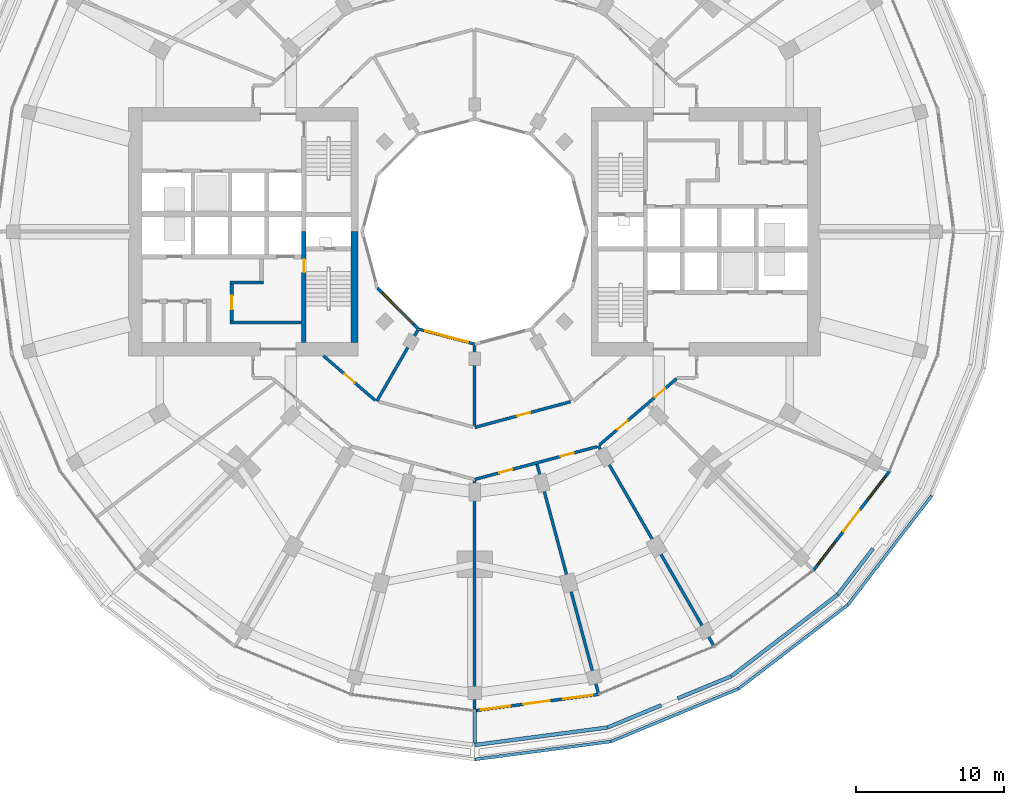
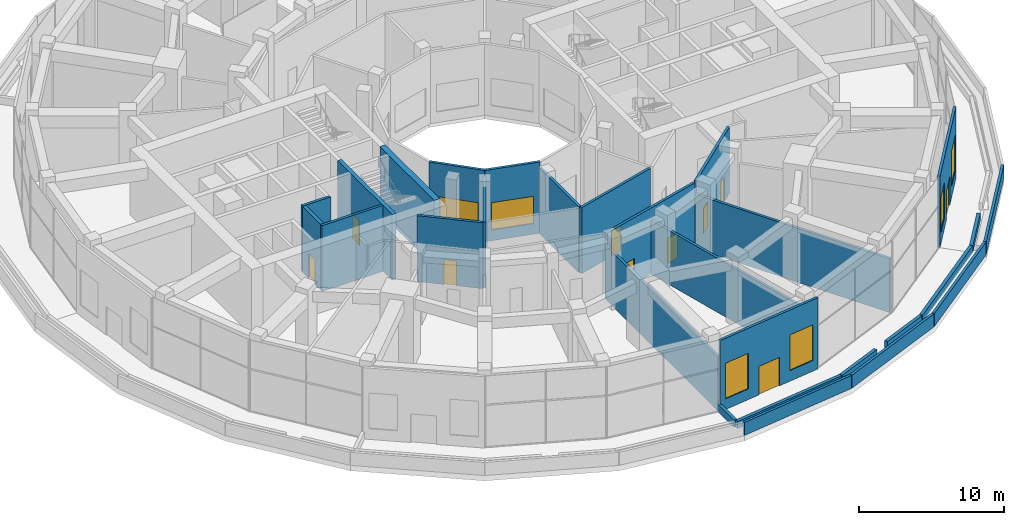
# One storey, part 16 of 23: 28 walls, 10 doors, 6 windows, 16 openings.
"""IFC4 building model written with IfcOpenShell, lengths in metres."""

from ifc_helpers import new_model, si_unit, direction, frame, frame_2d, origin, place, context, subcontext, project, spatial, rectangle, extrude, material, layer, layer_set, type_object, element, fill, save


model = new_model("IFC4")

# Units and contexts
model_context = context("Model", 3, precision=1e-05, world=origin(), true_north=direction((0.0, 1.0)))
body_context = subcontext(model_context, "Body", "Model", "MODEL_VIEW")
ifc_project = project(units=[si_unit("LENGTHUNIT", "METRE"), si_unit("AREAUNIT", "SQUARE_METRE"), si_unit("VOLUMEUNIT", "CUBIC_METRE"), si_unit("PLANEANGLEUNIT", "RADIAN"), si_unit("MASSUNIT", "GRAM", prefix="KILO")], contexts=[model_context])

# Site, building, storey
site_placement = place(None, origin())
site = spatial("IfcSite", under=ifc_project, at=site_placement, CompositionType="ELEMENT")
building_placement = place(site_placement, origin())
building = spatial("IfcBuilding", under=site, at=building_placement, Name="Torre Brocal", CompositionType="ELEMENT")
storey_placement = place(building_placement, frame((0.0, 0.0, 17.800048828125)))
storey = spatial("IfcBuildingStorey", under=building, at=storey_placement, Name="L03", CompositionType="ELEMENT", Elevation=17.800048828125)

# Walls
ifc_material_1 = material(Name="Concrete C80", Category="concrete")
ifc_layer_1 = layer(ifc_material_1, 0.199951171875)
ifc_layer_set_1 = layer_set([ifc_layer_1], Name="Concrete C80")
wall_type_1 = type_object("IfcWallType", Name="CORE WALL 200 C80 UNDER 450 SLAB", PredefinedType="SHEAR", material=ifc_layer_set_1)
wall_1_placement = place(storey_placement, frame((68.300048828125, 68.85009765625, 0.0), z_axis=(0.0, 0.0, 1.0), x_axis=(-1.0, 0.0, 0.0)))
element("IfcWall", 1, at=wall_1_placement, inside=storey, type_object=wall_type_1, Name="Wall CW200-80-S450", PredefinedType="SHEAR", context=body_context, shape_type="SweptSolid", body=[
    extrude(rectangle(XDim=4.85009765625, YDim=0.199951171875, at=frame_2d((2.425048828125, 0.0))), origin(), (0.0, 0.0, 1.0), 5.550048828125),
])
wall_2_placement = place(storey_placement, frame((65.699951171875, 71.550048828125, 0.0), z_axis=(0.0, 0.0, 1.0), x_axis=(-1.0, 0.0, 0.0)))
element("IfcWall", 2, at=wall_2_placement, inside=storey, type_object=wall_type_1, Name="Wall CW200-80-S450", PredefinedType="SHEAR", context=body_context, shape_type="SweptSolid", body=[
    extrude(rectangle(XDim=2.25, YDim=0.199951171875, at=frame_2d((1.125, 0.0))), origin(), (0.0, 0.0, 1.0), 5.550048828125),
])

# Wall, opening, door
ifc_material_2 = material(Name="Concrete C80", Category="concrete")
ifc_layer_2 = layer(ifc_material_2, 0.25)
ifc_layer_set_2 = layer_set([ifc_layer_2], Name="Concrete C80")
wall_type_2 = type_object("IfcWallType", Name="CORE WALL 250 C80 UNDER 450 SLAB", PredefinedType="SHEAR", material=ifc_layer_set_2)
wall_3_placement = place(storey_placement, frame((63.574951171875, 71.449951171875, 0.0), z_axis=(0.0, 0.0, 1.0), x_axis=(0.0, -1.0, 0.0)))
wall_3 = element("IfcWall", 3, at=wall_3_placement, inside=storey, type_object=wall_type_2, Name="Wall CW250-80-S450", PredefinedType="SHEAR", context=body_context, shape_type="SweptSolid", body=[
    extrude(rectangle(XDim=2.5, YDim=0.25, at=frame_2d((1.25, 0.0))), origin(), (0.0, 0.0, 1.0), 5.550048828125),
])
opening_1_placement = place(wall_3_placement, frame((0.800048828125, 0.0, 0.0)))
opening_1 = element("IfcOpeningElement", 4, at=opening_1_placement, cuts=wall_3, Name="Opening W-D15", PredefinedType="OPENING", context=body_context, shape_type="SweptSolid", body=[
    extrude(rectangle(XDim=0.89990234375, YDim=2.10009765625, at=frame_2d((0.449951171875, 1.050048828125))), frame((0.0, 0.135009765625, 0.0), z_axis=(0.0, -1.0, 0.0), x_axis=(1.0, 0.0, 0.0)), (0.0, 0.0, 1.0), 0.27001953125),
])
ifc_material_3 = material(Name="Steel A653", Category="steel")
door_type_1 = type_object("IfcDoorType", Name="LOBBY DOOR FD120 900X2100", OperationType="SINGLE_SWING_RIGHT", PredefinedType="DOOR", material=ifc_material_3)
door_1_placement = place(opening_1_placement, origin())
door_1 = element("IfcDoor", 5, at=door_1_placement, inside=storey, type_object=door_type_1, Name="Door W-D15", OperationType="SINGLE_SWING_LEFT", OverallHeight=2.10009765625, OverallWidth=0.89990234375, PredefinedType="DOOR", context=body_context, shape_type="SweptSolid", body=[
    extrude(rectangle(XDim=0.89990234375, YDim=2.10009765625, at=frame_2d((0.449951171875, 1.050048828125))), frame((0.0, 0.02490234375, 0.0), z_axis=(0.0, -1.0, 0.0), x_axis=(1.0, 0.0, 0.0)), (0.0, 0.0, 1.0), 0.050048828125),
])
fill(opening_1, door_1)

ifc_material_4 = material(Name="Concrete C80", Category="concrete")
ifc_layer_3 = layer(ifc_material_4, 0.300048828125)
ifc_layer_set_3 = layer_set([ifc_layer_3], Name="Concrete C80")
wall_type_3 = type_object("IfcWallType", Name="CORE WALL 300 C80 UNDER 450 SLAB", PredefinedType="SHEAR", material=ifc_layer_set_3)
wall_4_placement = place(storey_placement, frame((68.449951171875, 75.0, 0.0), z_axis=(0.0, 0.0, 1.0), x_axis=(0.0, -1.0, 0.0)))
wall_4 = element("IfcWall", 6, at=wall_4_placement, inside=storey, type_object=wall_type_3, Name="Wall CW300-80-S450", PredefinedType="SHEAR", context=body_context, shape_type="SweptSolid", body=[
    extrude(rectangle(XDim=7.5, YDim=0.300048828125, at=frame_2d((3.75, 0.0))), origin(), (0.0, 0.0, 1.0), 5.550048828125),
])
opening_2_placement = place(wall_4_placement, frame((1.85009765625, 0.0, 0.0)))
opening_2 = element("IfcOpeningElement", 7, at=opening_2_placement, cuts=wall_4, Name="Opening W-D02", PredefinedType="OPENING", context=body_context, shape_type="SweptSolid", body=[
    extrude(rectangle(XDim=0.89990234375, YDim=2.10009765625, at=frame_2d((0.449951171875, 1.050048828125))), frame((0.0, 0.159912109375, 0.0), z_axis=(0.0, -1.0, 0.0), x_axis=(1.0, 0.0, 0.0)), (0.0, 0.0, 1.0), 0.320068359375),
])
ifc_material_5 = material(Name="Steel A653", Category="steel")
door_type_2 = type_object("IfcDoorType", Name="STAIR DOOR FD120 900X2100", OperationType="SINGLE_SWING_RIGHT", PredefinedType="DOOR", material=ifc_material_5)
door_2_placement = place(opening_2_placement, origin())
door_2 = element("IfcDoor", 8, at=door_2_placement, inside=storey, type_object=door_type_2, Name="Door W-D02", OperationType="SINGLE_SWING_LEFT", OverallHeight=2.10009765625, OverallWidth=0.89990234375, PredefinedType="DOOR", context=body_context, shape_type="SweptSolid", body=[
    extrude(rectangle(XDim=0.89990234375, YDim=2.10009765625, at=frame_2d((0.449951171875, 1.050048828125))), frame((0.0, 0.02490234375, 0.0), z_axis=(0.0, -1.0, 0.0), x_axis=(1.0, 0.0, 0.0)), (0.0, 0.0, 1.0), 0.050048828125),
])
fill(opening_2, door_2)

# Wall
ifc_material_6 = material(Name="Concrete C80", Category="concrete")
ifc_layer_4 = layer(ifc_material_6, 0.449951171875)
ifc_layer_set_4 = layer_set([ifc_layer_4], Name="Concrete C80")
wall_type_4 = type_object("IfcWallType", Name="CORE WALL 450 C80 UNDER 450 SLAB", PredefinedType="SHEAR", material=ifc_layer_set_4)
wall_5_placement = place(storey_placement, frame((71.875, 75.0, 0.0), z_axis=(0.0, 0.0, 1.0), x_axis=(0.0, -1.0, 0.0)))
element("IfcWall", 9, at=wall_5_placement, inside=storey, type_object=wall_type_4, Name="Wall CW450-80-S450", PredefinedType="SHEAR", context=body_context, shape_type="SweptSolid", body=[
    extrude(rectangle(XDim=7.5, YDim=0.449951171875, at=frame_2d((3.75, 0.0))), origin(), (0.0, 0.0, 1.0), 5.550048828125),
])

# Wall, openings, windows, door
ifc_material_7 = material(Name="Concrete C40", Category="concrete")
ifc_layer_5 = layer(ifc_material_7, 0.199951171875)
ifc_layer_set_5 = layer_set([ifc_layer_5], Name="Concrete C40")
wall_type_5 = type_object("IfcWallType", Name="EXTERNAL WALL 200", PredefinedType="NOTDEFINED", material=ifc_layer_set_5)
wall_6_placement = place(storey_placement, frame((80.0, 42.600830078125, 0.0), z_axis=(0.0, 0.0, 1.0), x_axis=(0.991444369534, 0.130529928059, 0.0)))
wall_6 = element("IfcWall", 10, at=wall_6_placement, inside=storey, type_object=wall_type_5, Name="EXTERNAL WALL", PredefinedType="NOTDEFINED", context=body_context, shape_type="SweptSolid", body=[
    extrude(rectangle(XDim=8.457763671875, YDim=0.199951171875, at=frame_2d((4.22900390625, 0.0))), origin(), (0.0, 0.0, 1.0), 6.0),
])
opening_3_placement = place(wall_6_placement, frame((0.40966796875, 0.0, 0.89990234375)))
opening_3 = element("IfcOpeningElement", 11, at=opening_3_placement, cuts=wall_6, Name="Opening W7", PredefinedType="OPENING", context=body_context, shape_type="SweptSolid", body=[
    extrude(rectangle(XDim=2.0, YDim=3.0, at=frame_2d((1.0, 1.5))), frame((0.0, 0.10986328125, 0.0), z_axis=(0.0, -1.0, 0.0), x_axis=(1.0, 0.0, 0.0)), (0.0, 0.0, 1.0), 0.219970703125),
])
opening_4_placement = place(wall_6_placement, frame((3.328857421875, 0.0, 0.0)))
opening_4 = element("IfcOpeningElement", 12, at=opening_4_placement, cuts=wall_6, Name="Opening L03-E07", PredefinedType="OPENING", context=body_context, shape_type="SweptSolid", body=[
    extrude(rectangle(XDim=1.800048828125, YDim=2.39990234375, at=frame_2d((0.89990234375, 1.199951171875))), frame((0.0, 0.10986328125, 0.0), z_axis=(0.0, -1.0, 0.0), x_axis=(1.0, 0.0, 0.0)), (0.0, 0.0, 1.0), 0.219970703125),
])
opening_5_placement = place(wall_6_placement, frame((6.04833984375, 0.0, 0.89990234375)))
opening_5 = element("IfcOpeningElement", 13, at=opening_5_placement, cuts=wall_6, Name="Opening W7", PredefinedType="OPENING", context=body_context, shape_type="SweptSolid", body=[
    extrude(rectangle(XDim=2.0, YDim=3.0, at=frame_2d((1.0, 1.5))), frame((0.0, 0.10986328125, 0.0), z_axis=(0.0, -1.0, 0.0), x_axis=(1.0, 0.0, 0.0)), (0.0, 0.0, 1.0), 0.219970703125),
])
ifc_material_8 = material(Name="Aluminium and glass", Category="aluminium")
window_type_1 = type_object("IfcWindowType", Name="PODIUM WINDOW 2000X3000", PartitioningType="SINGLE_PANEL", PredefinedType="WINDOW", material=ifc_material_8)
window_1_placement = place(opening_3_placement, origin())
window_1 = element("IfcWindow", 14, at=window_1_placement, inside=storey, type_object=window_type_1, Name="PODIUM WINDOW 2000X3000", OverallHeight=3.0, OverallWidth=2.0, PartitioningType="SINGLE_PANEL", PredefinedType="WINDOW", context=body_context, shape_type="SweptSolid", body=[
    extrude(rectangle(XDim=2.0, YDim=3.0, at=frame_2d((1.0, 1.5))), frame((0.0, 0.030029296875, 0.0), z_axis=(0.0, -1.0, 0.0), x_axis=(1.0, 0.0, 0.0)), (0.0, 0.0, 1.0), 0.06005859375),
])
fill(opening_3, window_1)
window_2_placement = place(opening_5_placement, origin())
window_2 = element("IfcWindow", 15, at=window_2_placement, inside=storey, type_object=window_type_1, Name="PODIUM WINDOW 2000X3000", OverallHeight=3.0, OverallWidth=2.0, PartitioningType="SINGLE_PANEL", PredefinedType="WINDOW", context=body_context, shape_type="SweptSolid", body=[
    extrude(rectangle(XDim=2.0, YDim=3.0, at=frame_2d((1.0, 1.5))), frame((0.0, 0.030029296875, 0.0), z_axis=(0.0, -1.0, 0.0), x_axis=(1.0, 0.0, 0.0)), (0.0, 0.0, 1.0), 0.06005859375),
])
fill(opening_5, window_2)
ifc_material_9 = material(Name="Aluminium and glass", Category="aluminium")
door_type_3 = type_object("IfcDoorType", Name="TERRACE DOUBLE DOOR 1800X2400", OperationType="DOUBLE_DOOR_SINGLE_SWING", PredefinedType="DOOR", material=ifc_material_9)
door_3_placement = place(opening_4_placement, frame((1.800048828125, 0.0, 0.0), z_axis=(0.0, 0.0, 1.0), x_axis=(-1.0, 0.0, 0.0)))
door_3 = element("IfcDoor", 16, at=door_3_placement, inside=storey, type_object=door_type_3, Name="DOOR L03-E07", OperationType="DOUBLE_DOOR_SINGLE_SWING", OverallHeight=2.39990234375, OverallWidth=1.800048828125, PredefinedType="DOOR", context=body_context, shape_type="SweptSolid", body=[
    extrude(rectangle(XDim=1.800048828125, YDim=2.39990234375, at=frame_2d((0.89990234375, 1.199951171875))), frame((0.0, 0.02490234375, 0.0), z_axis=(0.0, -1.0, 0.0), x_axis=(1.0, 0.0, 0.0)), (0.0, 0.0, 1.0), 0.050048828125),
])
fill(opening_4, door_3)

wall_7_placement = place(storey_placement, frame((102.90966796875, 52.09033203125, 0.0), z_axis=(0.0, 0.0, 1.0), x_axis=(0.608761751223, 0.793353093047, 0.0)))
wall_7 = element("IfcWall", 17, at=wall_7_placement, inside=storey, type_object=wall_type_5, Name="EXTERNAL WALL", PredefinedType="NOTDEFINED", context=body_context, shape_type="SweptSolid", body=[
    extrude(rectangle(XDim=8.4580078125, YDim=0.199951171875, at=frame_2d((4.22900390625, 0.0))), origin(), (0.0, 0.0, 1.0), 6.0),
])
opening_6_placement = place(wall_7_placement, frame((0.40966796875, 0.0, 0.89990234375)))
opening_6 = element("IfcOpeningElement", 18, at=opening_6_placement, cuts=wall_7, Name="Opening W7", PredefinedType="OPENING", context=body_context, shape_type="SweptSolid", body=[
    extrude(rectangle(XDim=2.0, YDim=3.0, at=frame_2d((1.0, 1.5))), frame((0.0, 0.10986328125, 0.0), z_axis=(0.0, -1.0, 0.0), x_axis=(1.0, 0.0, 0.0)), (0.0, 0.0, 1.0), 0.219970703125),
])
opening_7_placement = place(wall_7_placement, frame((3.328857421875, 0.0, 0.0)))
opening_7 = element("IfcOpeningElement", 19, at=opening_7_placement, cuts=wall_7, Name="Opening L03-E08", PredefinedType="OPENING", context=body_context, shape_type="SweptSolid", body=[
    extrude(rectangle(XDim=1.800048828125, YDim=2.39990234375, at=frame_2d((0.89990234375, 1.199951171875))), frame((0.0, 0.10986328125, 0.0), z_axis=(0.0, -1.0, 0.0), x_axis=(1.0, 0.0, 0.0)), (0.0, 0.0, 1.0), 0.219970703125),
])
opening_8_placement = place(wall_7_placement, frame((6.04833984375, 0.0, 0.89990234375)))
opening_8 = element("IfcOpeningElement", 20, at=opening_8_placement, cuts=wall_7, Name="Opening W7", PredefinedType="OPENING", context=body_context, shape_type="SweptSolid", body=[
    extrude(rectangle(XDim=2.0, YDim=3.0, at=frame_2d((1.0, 1.5))), frame((0.0, 0.10986328125, 0.0), z_axis=(0.0, -1.0, 0.0), x_axis=(1.0, 0.0, 0.0)), (0.0, 0.0, 1.0), 0.219970703125),
])
window_3_placement = place(opening_6_placement, origin())
window_3 = element("IfcWindow", 21, at=window_3_placement, inside=storey, type_object=window_type_1, Name="PODIUM WINDOW 2000X3000", OverallHeight=3.0, OverallWidth=2.0, PartitioningType="SINGLE_PANEL", PredefinedType="WINDOW", context=body_context, shape_type="SweptSolid", body=[
    extrude(rectangle(XDim=2.0, YDim=3.0, at=frame_2d((1.0, 1.5))), frame((0.0, 0.030029296875, 0.0), z_axis=(0.0, -1.0, 0.0), x_axis=(1.0, 0.0, 0.0)), (0.0, 0.0, 1.0), 0.06005859375),
])
fill(opening_6, window_3)
window_4_placement = place(opening_8_placement, origin())
window_4 = element("IfcWindow", 22, at=window_4_placement, inside=storey, type_object=window_type_1, Name="PODIUM WINDOW 2000X3000", OverallHeight=3.0, OverallWidth=2.0, PartitioningType="SINGLE_PANEL", PredefinedType="WINDOW", context=body_context, shape_type="SweptSolid", body=[
    extrude(rectangle(XDim=2.0, YDim=3.0, at=frame_2d((1.0, 1.5))), frame((0.0, 0.030029296875, 0.0), z_axis=(0.0, -1.0, 0.0), x_axis=(1.0, 0.0, 0.0)), (0.0, 0.0, 1.0), 0.06005859375),
])
fill(opening_8, window_4)
door_4_placement = place(opening_7_placement, frame((1.800048828125, 0.0, 0.0), z_axis=(0.0, 0.0, 1.0), x_axis=(-1.0, 0.0, 0.0)))
door_4 = element("IfcDoor", 23, at=door_4_placement, inside=storey, type_object=door_type_3, Name="DOOR L03-E08", OperationType="DOUBLE_DOOR_SINGLE_SWING", OverallHeight=2.39990234375, OverallWidth=1.800048828125, PredefinedType="DOOR", context=body_context, shape_type="SweptSolid", body=[
    extrude(rectangle(XDim=1.800048828125, YDim=2.39990234375, at=frame_2d((0.89990234375, 1.199951171875))), frame((0.0, 0.02490234375, 0.0), z_axis=(0.0, -1.0, 0.0), x_axis=(1.0, 0.0, 0.0)), (0.0, 0.0, 1.0), 0.050048828125),
])
fill(opening_7, door_4)

# Walls
ifc_material_10 = material(Name="Concrete C40", Category="concrete")
ifc_layer_6 = layer(ifc_material_10, 0.199951171875)
ifc_layer_set_6 = layer_set([ifc_layer_6], Name="Concrete C40")
wall_type_6 = type_object("IfcWallType", Name="PARAPET WALL 200 THICK 1100 HIGH 2", PredefinedType="PARAPET", material=ifc_layer_set_6)
for number, where, z_axis, x_axis, name in (
    (24, (110.90673828125, 57.140869140625, 0.0), (0.0, 0.0, 1.0), (-0.608745337968, -0.793365687122, 0.0), "PARAPET WALL 3"),
    (25, (105.2314453125, 49.75, 0.0), (0.0, 0.0, 1.0), (-0.793365687122, -0.608745337968, 0.0), "PARAPET WALL 4"),
    (26, (97.83642578125, 44.080078125, 0.0), (0.0, 0.0, 1.0), (-0.923877859786, -0.382687470657, 0.0), "PARAPET WALL 5"),
):
    element("IfcWall", number, at=place(storey_placement, frame(where, z_axis=z_axis, x_axis=x_axis)), inside=storey, type_object=wall_type_6, Name=name, PredefinedType="PARAPET", context=body_context, shape_type="SweptSolid", body=[
        extrude(rectangle(XDim=9.29248046875, YDim=0.199951171875, at=frame_2d((4.646240234375, 0.0))), origin(), (0.0, 0.0, 1.0), 1.099853515625),
    ])
wall_8_placement = place(storey_placement, frame((89.22607421875, 40.517333984375, 0.0), z_axis=(0.0, 0.0, 1.0), x_axis=(-0.99144204025, -0.130547618995, 0.0)))
element("IfcWall", 27, at=wall_8_placement, inside=storey, type_object=wall_type_6, Name="PARAPET WALL 6", PredefinedType="PARAPET", context=body_context, shape_type="SweptSolid", body=[
    extrude(rectangle(XDim=9.292724609375, YDim=0.199951171875, at=frame_2d((4.646484375, 0.0))), origin(), (0.0, 0.0, 1.0), 1.099853515625),
])

# Wall, opening, door
ifc_material_11 = material(Name="Gypsum board", Category="Gypsum")
ifc_layer_7 = layer(ifc_material_11, 0.199951171875)
ifc_layer_set_7 = layer_set([ifc_layer_7], Name="Gypsum board")
wall_type_7 = type_object("IfcWallType", Name="PARTITION 200 EI60", PredefinedType="PARTITIONING", material=ifc_layer_set_7)
wall_9_placement = place(storey_placement, frame((69.77099609375, 66.60009765625, 0.0), z_axis=(0.0, 0.0, 1.0), x_axis=(0.758040611529, -0.652207352974, 0.0)))
wall_9 = element("IfcWall", 28, at=wall_9_placement, inside=storey, type_object=wall_type_7, Name="CORRIDOR WALL", PredefinedType="PARTITIONING", context=body_context, shape_type="SweptSolid", body=[
    extrude(rectangle(XDim=4.625244140625, YDim=0.199951171875, at=frame_2d((2.3125, 0.0))), origin(), (0.0, 0.0, 1.0), 5.550048828125),
])
opening_9_placement = place(wall_9_placement, frame((1.887451171875, 0.0, 0.0)))
opening_9 = element("IfcOpeningElement", 29, at=opening_9_placement, cuts=wall_9, Name="Opening PD3-D30", PredefinedType="OPENING", context=body_context, shape_type="SweptSolid", body=[
    extrude(rectangle(XDim=0.89990234375, YDim=2.10009765625, at=frame_2d((0.449951171875, 1.050048828125))), frame((0.0, 0.10986328125, 0.0), z_axis=(0.0, -1.0, 0.0), x_axis=(1.0, 0.0, 0.0)), (0.0, 0.0, 1.0), 0.219970703125),
])
ifc_material_12 = material(Name="Timber", Category="wood")
door_type_4 = type_object("IfcDoorType", Name="ROOM DOOR 900X2100", OperationType="SINGLE_SWING_LEFT", PredefinedType="DOOR", material=ifc_material_12)
door_5_placement = place(opening_9_placement, origin())
door_5 = element("IfcDoor", 30, at=door_5_placement, inside=storey, type_object=door_type_4, Name="PD3-D30", OperationType="SINGLE_SWING_LEFT", OverallHeight=2.10009765625, OverallWidth=0.89990234375, PredefinedType="DOOR", context=body_context, shape_type="SweptSolid", body=[
    extrude(rectangle(XDim=0.89990234375, YDim=2.10009765625, at=frame_2d((0.449951171875, 1.050048828125))), frame((0.0, 0.02490234375, 0.0), z_axis=(0.0, -1.0, 0.0), x_axis=(1.0, 0.0, 0.0)), (0.0, 0.0, 1.0), 0.050048828125),
])
fill(opening_9, door_5)

# Wall
wall_10_placement = place(storey_placement, frame((73.37939453125, 63.534423828125, 0.0), z_axis=(0.0, 0.0, 1.0), x_axis=(0.500052970826, 0.865994818904, 0.0)))
element("IfcWall", 31, at=wall_10_placement, inside=storey, type_object=wall_type_7, Name="SERVICE ROOM WALL", PredefinedType="PARTITIONING", context=body_context, shape_type="SweptSolid", body=[
    extrude(rectangle(XDim=5.54150390625, YDim=0.199951171875, at=frame_2d((2.770751953125, 0.0))), origin(), (0.0, 0.0, 1.0), 5.550048828125),
])

# Wall, openings, doors
wall_11_placement = place(storey_placement, frame((80.0, 58.240234375, 0.0), z_axis=(0.0, 0.0, 1.0), x_axis=(0.965945381016, 0.258746054836, 0.0)))
wall_11 = element("IfcWall", 32, at=wall_11_placement, inside=storey, type_object=wall_type_7, Name="CORRIDOR WALL", PredefinedType="PARTITIONING", context=body_context, shape_type="SweptSolid", body=[
    extrude(rectangle(XDim=8.568359375, YDim=0.199951171875, at=frame_2d((4.2841796875, 0.0))), origin(), (0.0, 0.0, 1.0), 5.550048828125),
])
opening_10_placement = place(wall_11_placement, frame((6.01318359375, 0.0, 0.0)))
opening_10 = element("IfcOpeningElement", 33, at=opening_10_placement, cuts=wall_11, Name="Opening PD3-D20", PredefinedType="OPENING", context=body_context, shape_type="SweptSolid", body=[
    extrude(rectangle(XDim=0.89990234375, YDim=2.10009765625, at=frame_2d((0.449951171875, 1.050048828125))), frame((0.0, 0.10986328125, 0.0), z_axis=(0.0, -1.0, 0.0), x_axis=(1.0, 0.0, 0.0)), (0.0, 0.0, 1.0), 0.219970703125),
])
opening_11_placement = place(wall_11_placement, frame((1.728759765625, 0.0, 0.0)))
opening_11 = element("IfcOpeningElement", 34, at=opening_11_placement, cuts=wall_11, Name="Opening PD3-D21", PredefinedType="OPENING", context=body_context, shape_type="SweptSolid", body=[
    extrude(rectangle(XDim=0.89990234375, YDim=2.10009765625, at=frame_2d((0.449951171875, 1.050048828125))), frame((0.0, 0.10986328125, 0.0), z_axis=(0.0, -1.0, 0.0), x_axis=(1.0, 0.0, 0.0)), (0.0, 0.0, 1.0), 0.219970703125),
])
door_6_placement = place(opening_10_placement, frame((0.89990234375, 0.0, 0.0), z_axis=(0.0, 0.0, 1.0), x_axis=(-1.0, 0.0, 0.0)))
door_6 = element("IfcDoor", 35, at=door_6_placement, inside=storey, type_object=door_type_4, Name="PD3-D20", OperationType="SINGLE_SWING_RIGHT", OverallHeight=2.10009765625, OverallWidth=0.89990234375, PredefinedType="DOOR", context=body_context, shape_type="SweptSolid", body=[
    extrude(rectangle(XDim=0.89990234375, YDim=2.10009765625, at=frame_2d((0.449951171875, 1.050048828125))), frame((0.0, 0.02490234375, 0.0), z_axis=(0.0, -1.0, 0.0), x_axis=(1.0, 0.0, 0.0)), (0.0, 0.0, 1.0), 0.050048828125),
])
fill(opening_10, door_6)
door_7_placement = place(opening_11_placement, frame((0.89990234375, 0.0, 0.0), z_axis=(0.0, 0.0, 1.0), x_axis=(-1.0, 0.0, 0.0)))
door_7 = element("IfcDoor", 36, at=door_7_placement, inside=storey, type_object=door_type_4, Name="PD3-D21", OperationType="SINGLE_SWING_LEFT", OverallHeight=2.10009765625, OverallWidth=0.89990234375, PredefinedType="DOOR", context=body_context, shape_type="SweptSolid", body=[
    extrude(rectangle(XDim=0.89990234375, YDim=2.10009765625, at=frame_2d((0.449951171875, 1.050048828125))), frame((0.0, 0.02490234375, 0.0), z_axis=(0.0, -1.0, 0.0), x_axis=(1.0, 0.0, 0.0)), (0.0, 0.0, 1.0), 0.050048828125),
])
fill(opening_11, door_7)

# Wall
wall_12_placement = place(storey_placement, frame((80.0, 61.889892578125, 0.0), z_axis=(0.0, 0.0, 1.0), x_axis=(0.0, 1.0, 0.0)))
element("IfcWall", 37, at=wall_12_placement, inside=storey, type_object=wall_type_7, Name="SERVICE ROOM WALL", PredefinedType="PARTITIONING", context=body_context, shape_type="SweptSolid", body=[
    extrude(rectangle(XDim=5.4111328125, YDim=0.199951171875, at=frame_2d((2.70556640625, 0.0))), origin(), (0.0, 0.0, 1.0), 5.550048828125),
])

# Wall, opening, door
wall_13_placement = place(storey_placement, frame((80.0, 61.760009765625, 0.0), z_axis=(0.0, 0.0, 1.0), x_axis=(0.965932810031, 0.258792980017, 0.0)))
wall_13 = element("IfcWall", 38, at=wall_13_placement, inside=storey, type_object=wall_type_7, Name="CORRIDOR WALL", PredefinedType="PARTITIONING", context=body_context, shape_type="SweptSolid", body=[
    extrude(rectangle(XDim=6.720703125, YDim=0.199951171875, at=frame_2d((3.3603515625, 0.0))), origin(), (0.0, 0.0, 1.0), 5.550048828125),
])
opening_12_placement = place(wall_13_placement, frame((2.986572265625, 0.0, 0.0)))
opening_12 = element("IfcOpeningElement", 39, at=opening_12_placement, cuts=wall_13, Name="Opening PD3-D28", PredefinedType="OPENING", context=body_context, shape_type="SweptSolid", body=[
    extrude(rectangle(XDim=0.89990234375, YDim=2.10009765625, at=frame_2d((0.449951171875, 1.050048828125))), frame((0.0, 0.10986328125, 0.0), z_axis=(0.0, -1.0, 0.0), x_axis=(1.0, 0.0, 0.0)), (0.0, 0.0, 1.0), 0.219970703125),
])
door_8_placement = place(opening_12_placement, origin())
door_8 = element("IfcDoor", 40, at=door_8_placement, inside=storey, type_object=door_type_4, Name="PD3-D28", OperationType="SINGLE_SWING_RIGHT", OverallHeight=2.10009765625, OverallWidth=0.89990234375, PredefinedType="DOOR", context=body_context, shape_type="SweptSolid", body=[
    extrude(rectangle(XDim=0.89990234375, YDim=2.10009765625, at=frame_2d((0.449951171875, 1.050048828125))), frame((0.0, 0.02490234375, 0.0), z_axis=(0.0, -1.0, 0.0), x_axis=(1.0, 0.0, 0.0)), (0.0, 0.0, 1.0), 0.050048828125),
])
fill(opening_12, door_8)

# Wall, openings, doors
wall_14_placement = place(storey_placement, frame((88.43603515625, 60.57275390625, 0.0), z_axis=(0.0, 0.0, 1.0), x_axis=(0.758186248639, 0.652038045189, 0.0)))
wall_14 = element("IfcWall", 41, at=wall_14_placement, inside=storey, type_object=wall_type_7, Name="PLANT ROOM WALL", PredefinedType="PARTITIONING", context=body_context, shape_type="SweptSolid", body=[
    extrude(rectangle(XDim=6.881591796875, YDim=0.199951171875, at=frame_2d((3.44091796875, 0.0))), origin(), (0.0, 0.0, 1.0), 5.550048828125),
])
opening_13_placement = place(wall_14_placement, frame((4.941162109375, 0.0, 0.0)))
opening_13 = element("IfcOpeningElement", 42, at=opening_13_placement, cuts=wall_14, Name="Opening PD3-D17", PredefinedType="OPENING", context=body_context, shape_type="SweptSolid", body=[
    extrude(rectangle(XDim=0.89990234375, YDim=2.10009765625, at=frame_2d((0.449951171875, 1.050048828125))), frame((0.0, 0.10986328125, 0.0), z_axis=(0.0, -1.0, 0.0), x_axis=(1.0, 0.0, 0.0)), (0.0, 0.0, 1.0), 0.219970703125),
])
opening_14_placement = place(wall_14_placement, frame((1.627197265625, 0.0, 0.0)))
opening_14 = element("IfcOpeningElement", 43, at=opening_14_placement, cuts=wall_14, Name="Opening PD3-D19", PredefinedType="OPENING", context=body_context, shape_type="SweptSolid", body=[
    extrude(rectangle(XDim=0.89990234375, YDim=2.10009765625, at=frame_2d((0.449951171875, 1.050048828125))), frame((0.0, 0.10986328125, 0.0), z_axis=(0.0, -1.0, 0.0), x_axis=(1.0, 0.0, 0.0)), (0.0, 0.0, 1.0), 0.219970703125),
])
door_9_placement = place(opening_13_placement, frame((0.89990234375, 0.0, 0.0), z_axis=(0.0, 0.0, 1.0), x_axis=(-1.0, 0.0, 0.0)))
door_9 = element("IfcDoor", 44, at=door_9_placement, inside=storey, type_object=door_type_4, Name="PD3-D17", OperationType="SINGLE_SWING_RIGHT", OverallHeight=2.10009765625, OverallWidth=0.89990234375, PredefinedType="DOOR", context=body_context, shape_type="SweptSolid", body=[
    extrude(rectangle(XDim=0.89990234375, YDim=2.10009765625, at=frame_2d((0.449951171875, 1.050048828125))), frame((0.0, 0.02490234375, 0.0), z_axis=(0.0, -1.0, 0.0), x_axis=(1.0, 0.0, 0.0)), (0.0, 0.0, 1.0), 0.050048828125),
])
fill(opening_13, door_9)
door_10_placement = place(opening_14_placement, frame((0.89990234375, 0.0, 0.0), z_axis=(0.0, 0.0, 1.0), x_axis=(-1.0, 0.0, 0.0)))
door_10 = element("IfcDoor", 45, at=door_10_placement, inside=storey, type_object=door_type_4, Name="PD3-D19", OperationType="SINGLE_SWING_LEFT", OverallHeight=2.10009765625, OverallWidth=0.89990234375, PredefinedType="DOOR", context=body_context, shape_type="SweptSolid", body=[
    extrude(rectangle(XDim=0.89990234375, YDim=2.10009765625, at=frame_2d((0.449951171875, 1.050048828125))), frame((0.0, 0.02490234375, 0.0), z_axis=(0.0, -1.0, 0.0), x_axis=(1.0, 0.0, 0.0)), (0.0, 0.0, 1.0), 0.050048828125),
])
fill(opening_14, door_10)

# Walls
ifc_material_13 = material(Name="Gypsum board", Category="Gypsum")
ifc_layer_8 = layer(ifc_material_13, 0.199951171875)
ifc_layer_set_8 = layer_set([ifc_layer_8], Name="Gypsum board")
wall_type_8 = type_object("IfcWallType", Name="PARTITION 200 EI60 UNDER BEAM 1450", PredefinedType="PARTITIONING", material=ifc_layer_set_8)
wall_15_placement = place(storey_placement, frame((80.0, 42.701904296875, 0.0), z_axis=(0.0, 0.0, 1.0), x_axis=(0.0, 1.0, 0.0)))
element("IfcWall", 46, at=wall_15_placement, inside=storey, type_object=wall_type_8, Name="PARTY PARTITION", PredefinedType="PARTITIONING", context=body_context, shape_type="SweptSolid", body=[
    extrude(rectangle(XDim=15.447998046875, YDim=0.199951171875, at=frame_2d((7.72412109375, 0.0))), origin(), (0.0, 0.0, 1.0), 4.550048828125),
])
wall_16_placement = place(storey_placement, frame((84.21533203125, 59.265869140625, 0.0), z_axis=(0.0, 0.0, 1.0), x_axis=(0.258785380098, -0.965934846171, 0.0)))
element("IfcWall", 47, at=wall_16_placement, inside=storey, type_object=wall_type_8, Name="PARTY PARTITION", PredefinedType="PARTITIONING", context=body_context, shape_type="SweptSolid", body=[
    extrude(rectangle(XDim=16.0087890625, YDim=0.199951171875, at=frame_2d((8.00439453125, 0.0))), origin(), (0.0, 0.0, 1.0), 4.550048828125),
])
wall_17_placement = place(storey_placement, frame((88.364013671875, 60.510498046875, 0.0), z_axis=(0.0, 0.0, 1.0), x_axis=(0.499978131111, -0.866038029425, 0.0)))
element("IfcWall", 48, at=wall_17_placement, inside=storey, type_object=wall_type_8, Name="PARTY PARTITION", PredefinedType="PARTITIONING", context=body_context, shape_type="SweptSolid", body=[
    extrude(rectangle(XDim=15.567138671875, YDim=0.199951171875, at=frame_2d((7.78369140625, 0.0))), origin(), (0.0, 0.0, 1.0), 4.550048828125),
])
ifc_material_14 = material(Name="Concrete C35", Category="concrete")
ifc_layer_9 = layer(ifc_material_14, 0.25)
ifc_layer_set_9 = layer_set([ifc_layer_9], Name="Concrete C35")
wall_type_9 = type_object("IfcWallType", Name="PLANTER WALL 250 THICK 600 HIGH 2", PredefinedType="USERDEFINED", material=ifc_layer_set_9)
wall_18_placement = place(storey_placement, frame((80.0, 42.70166015625, 0.0), z_axis=(0.0, 0.0, 1.0), x_axis=(0.0, -1.0, 0.0)))
element("IfcWall", 49, at=wall_18_placement, inside=storey, type_object=wall_type_9, Name="PLANTER", ObjectType="PLANTER", PredefinedType="USERDEFINED", context=body_context, shape_type="SweptSolid", body=[
    extrude(rectangle(XDim=2.278076171875, YDim=0.25, at=frame_2d((1.13916015625, 0.0))), origin(), (0.0, 0.0, 1.0), 0.599853515625),
])
wall_19_placement = place(storey_placement, frame((104.550048828125, 50.449951171875, 0.0), z_axis=(0.0, 0.0, 1.0), x_axis=(-0.793348728135, -0.608767439641, 0.0)))
element("IfcWall", 50, at=wall_19_placement, inside=storey, type_object=wall_type_9, Name="PLANTER", ObjectType="PLANTER", PredefinedType="USERDEFINED", context=body_context, shape_type="SweptSolid", body=[
    extrude(rectangle(XDim=9.047119140625, YDim=0.25, at=frame_2d((4.5234375, 0.0))), origin(), (0.0, 0.0, 1.0), 0.599853515625),
])
for number, where, z_axis, x_axis, name in (
    (51, (97.34423828125, 44.92626953125, 0.0), (0.0, 0.0, 1.0), (-0.923879271042, -0.382684063606, 0.0), "PLANTER"),
    (52, (92.618408203125, 42.96875, 0.0), (0.0, 0.0, 1.0), (-0.923857223525, -0.382737286582, 0.0), "PLANTER"),
):
    element("IfcWall", number, at=place(storey_placement, frame(where, z_axis=z_axis, x_axis=x_axis)), inside=storey, type_object=wall_type_9, Name=name, ObjectType="PLANTER", PredefinedType="USERDEFINED", context=body_context, shape_type="SweptSolid", body=[
        extrude(rectangle(XDim=3.915283203125, YDim=0.25, at=frame_2d((1.95751953125, 0.0))), origin(), (0.0, 0.0, 1.0), 0.599853515625),
    ])
wall_20_placement = place(storey_placement, frame((88.9697265625, 41.4619140625, 0.0), z_axis=(0.0, 0.0, 1.0), x_axis=(-0.991443352135, -0.130537655512, 0.0)))
element("IfcWall", 53, at=wall_20_placement, inside=storey, type_object=wall_type_9, Name="PLANTER", ObjectType="PLANTER", PredefinedType="USERDEFINED", context=body_context, shape_type="SweptSolid", body=[
    extrude(rectangle(XDim=9.0390625, YDim=0.25, at=frame_2d((4.51953125, 0.0))), origin(), (0.0, 0.0, 1.0), 0.599853515625),
])
wall_21_placement = place(storey_placement, frame((106.943603515625, 53.5693359375, 0.0), z_axis=(0.0, 0.0, 1.0), x_axis=(-0.608784178897, -0.79333588317, 0.0)))
element("IfcWall", 54, at=wall_21_placement, inside=storey, type_object=wall_type_9, Name="PLANTER", ObjectType="PLANTER", PredefinedType="USERDEFINED", context=body_context, shape_type="SweptSolid", body=[
    extrude(rectangle(XDim=3.923583984375, YDim=0.25, at=frame_2d((1.9619140625, 0.0))), origin(), (0.0, 0.0, 1.0), 0.599853515625),
])

# Wall, opening, window
ifc_material_15 = material(Name="Concrete C40", Category="concrete")
ifc_layer_10 = layer(ifc_material_15, 0.199951171875)
ifc_layer_set_10 = layer_set([ifc_layer_10], Name="Concrete C40")
wall_type_10 = type_object("IfcWallType", Name="WELL FACADE WALL 200", PredefinedType="NOTDEFINED", material=ifc_layer_set_10)
wall_22_placement = place(storey_placement, frame((73.4150390625, 71.1982421875, 0.0), z_axis=(0.0, 0.0, 1.0), x_axis=(0.707106781187, -0.707106781187, 0.0)))
wall_22 = element("IfcWall", 55, at=wall_22_placement, inside=storey, type_object=wall_type_10, Name="WELL FACADE WALL", PredefinedType="NOTDEFINED", context=body_context, shape_type="SweptSolid", body=[
    extrude(rectangle(XDim=3.93603515625, YDim=0.199951171875, at=frame_2d((1.968017578125, 0.0))), origin(), (0.0, 0.0, 1.0), 6.0),
])
opening_15_placement = place(wall_22_placement, frame((0.468017578125, 0.0, 0.89990234375)))
opening_15 = element("IfcOpeningElement", 56, at=opening_15_placement, cuts=wall_22, Name="Opening W1", PredefinedType="OPENING", context=body_context, shape_type="SweptSolid", body=[
    extrude(rectangle(XDim=3.0, YDim=2.300048828125, at=frame_2d((1.5, 1.14990234375))), frame((0.0, 0.10986328125, 0.0), z_axis=(0.0, -1.0, 0.0), x_axis=(1.0, 0.0, 0.0)), (0.0, 0.0, 1.0), 0.219970703125),
])
ifc_material_16 = material(Name="Aluminium and glass", Category="aluminium")
window_type_2 = type_object("IfcWindowType", Name="WELL WINDOW 3000X2300", PartitioningType="SINGLE_PANEL", PredefinedType="WINDOW", material=ifc_material_16)
window_5_placement = place(opening_15_placement, origin())
window_5 = element("IfcWindow", 57, at=window_5_placement, inside=storey, type_object=window_type_2, Name="WELL WINDOW 3000X2300", OverallHeight=2.300048828125, OverallWidth=3.0, PartitioningType="SINGLE_PANEL", PredefinedType="WINDOW", context=body_context, shape_type="SweptSolid", body=[
    extrude(rectangle(XDim=3.0, YDim=2.300048828125, at=frame_2d((1.5, 1.14990234375))), frame((0.0, 0.030029296875, 0.0), z_axis=(0.0, -1.0, 0.0), x_axis=(1.0, 0.0, 0.0)), (0.0, 0.0, 1.0), 0.06005859375),
])
fill(opening_15, window_5)

wall_23_placement = place(storey_placement, frame((76.1982421875, 68.4150390625, 0.0), z_axis=(0.0, 0.0, 1.0), x_axis=(0.965933654434, -0.258789828301, 0.0)))
wall_23 = element("IfcWall", 58, at=wall_23_placement, inside=storey, type_object=wall_type_10, Name="WELL FACADE WALL", PredefinedType="NOTDEFINED", context=body_context, shape_type="SweptSolid", body=[
    extrude(rectangle(XDim=3.935791015625, YDim=0.199951171875, at=frame_2d((1.9677734375, 0.0))), origin(), (0.0, 0.0, 1.0), 6.0),
])
opening_16_placement = place(wall_23_placement, frame((0.468017578125, 0.0, 0.89990234375)))
opening_16 = element("IfcOpeningElement", 59, at=opening_16_placement, cuts=wall_23, Name="Opening W1", PredefinedType="OPENING", context=body_context, shape_type="SweptSolid", body=[
    extrude(rectangle(XDim=3.0, YDim=2.300048828125, at=frame_2d((1.5, 1.14990234375))), frame((0.0, 0.10986328125, 0.0), z_axis=(0.0, -1.0, 0.0), x_axis=(1.0, 0.0, 0.0)), (0.0, 0.0, 1.0), 0.219970703125),
])
window_6_placement = place(opening_16_placement, origin())
window_6 = element("IfcWindow", 60, at=window_6_placement, inside=storey, type_object=window_type_2, Name="WELL WINDOW 3000X2300", OverallHeight=2.300048828125, OverallWidth=3.0, PartitioningType="SINGLE_PANEL", PredefinedType="WINDOW", context=body_context, shape_type="SweptSolid", body=[
    extrude(rectangle(XDim=3.0, YDim=2.300048828125, at=frame_2d((1.5, 1.14990234375))), frame((0.0, 0.030029296875, 0.0), z_axis=(0.0, -1.0, 0.0), x_axis=(1.0, 0.0, 0.0)), (0.0, 0.0, 1.0), 0.06005859375),
])
fill(opening_16, window_6)

save(model, "model.ifc")
